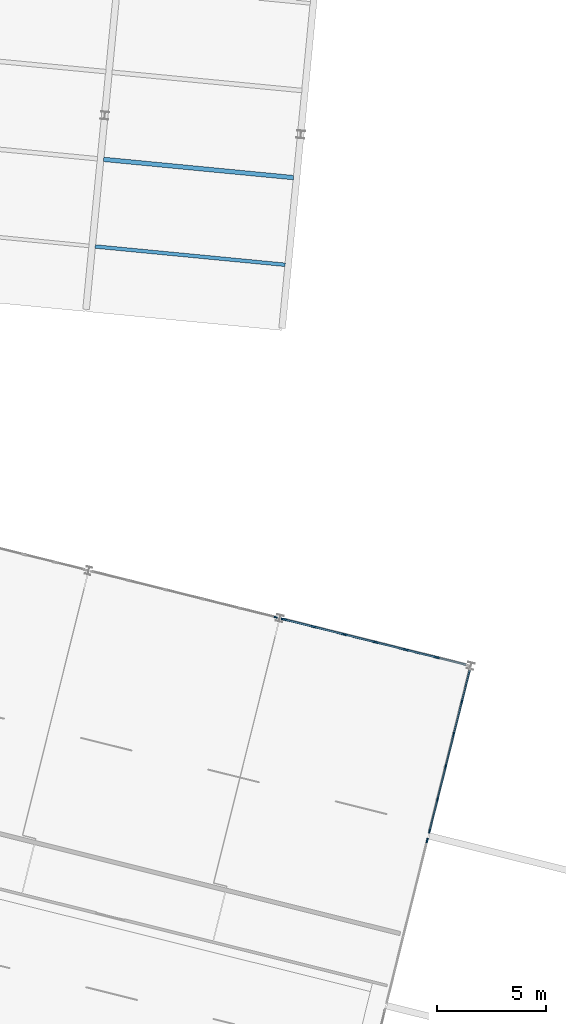
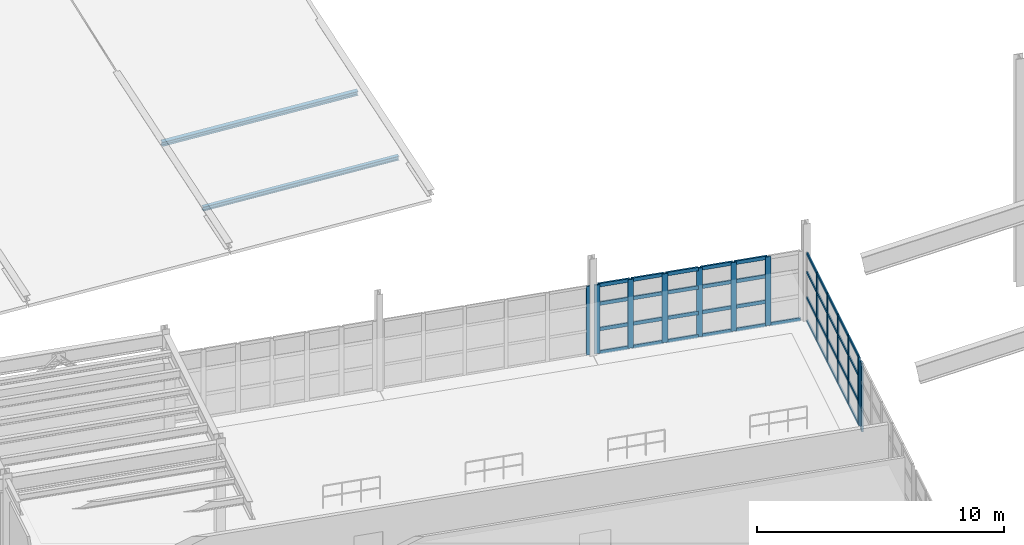
# One storey, part 21 of 59: 56 members, 4 elements without a shape of their own.
"""IFC4 building model written with IfcOpenShell, lengths in metres."""

import ifcopenshell
import ifcopenshell.guid

model = None  # the IFC model being written
_history = None  # IfcOwnerHistory: only IFC2X3 demands one
_inside = {}  # id of a spatial element -> (the spatial element, [elements in it])
_under = {}  # id of a project, library or spatial element -> (it, [spatial elements below it])
_declared = {}  # id of a project -> (the project, [libraries it declares])
_typed = {}  # id of a type object -> (the type object, [elements of that type])
_made_of = {}  # id of a material, layer set ... -> (it, [elements and type objects made of it])


def new_model(schema):
    """Start an empty IFC model of exactly this schema.

    Asked for "IFC4X3", IfcOpenShell would pick the latest addendum, in which some entities
    have other attributes; the version numbers below select the first issue.
    IFC2X3 requires an IfcOwnerHistory on every rooted entity: one is made here for all.
    """
    global model, _history
    if schema == "IFC4X3":
        model = ifcopenshell.file(schema_version=(4, 3, 0, 0))
    else:
        model = ifcopenshell.file(schema=schema)
    _inside.clear()
    _under.clear()
    _declared.clear()
    _typed.clear()
    _made_of.clear()
    _history = None
    if model.schema == "IFC2X3":
        org = make("IfcOrganization", Name="unknown")
        user = make(
            "IfcPersonAndOrganization",
            ThePerson=make("IfcPerson", FamilyName="unknown"),
            TheOrganization=org,
        )
        app = make(
            "IfcApplication",
            ApplicationDeveloper=org,
            Version="unknown",
            ApplicationFullName="unknown",
            ApplicationIdentifier="unknown",
        )
        _history = make(
            "IfcOwnerHistory",
            OwningUser=user,
            OwningApplication=app,
            ChangeAction="ADDED",
            CreationDate=0,
        )
    return model


def make(cls, **values):
    """One entity of the class cls with the attributes given. An attribute that is None is left unset."""
    return model.create_entity(
        cls, **{name: value for name, value in values.items() if value is not None}
    )


def rooted(cls, **values):
    """An entity with a GlobalId (a new one), such as an element, a storey or a relation."""
    return make(cls, GlobalId=ifcopenshell.guid.new(), OwnerHistory=_history, **values)


def si_unit(unit_type, name, prefix=None):
    """IfcSIUnit, for example si_unit("LENGTHUNIT", "METRE", prefix="MILLI")."""
    return make("IfcSIUnit", UnitType=unit_type, Prefix=prefix, Name=name)


def assignment(units):
    """IfcUnitAssignment: the units of a project."""
    return None if units is None else make("IfcUnitAssignment", Units=units)


def point(xyz):
    """IfcCartesianPoint."""
    return None if xyz is None else make("IfcCartesianPoint", Coordinates=xyz)


def direction(xyz):
    """IfcDirection."""
    return None if xyz is None else make("IfcDirection", DirectionRatios=xyz)


def frame(location, z_axis=None, x_axis=None):
    """IfcAxis2Placement3D, a coordinate frame: its origin and axes. An axis left out is left unset."""
    return make(
        "IfcAxis2Placement3D",
        Location=point(location),
        Axis=direction(z_axis),
        RefDirection=direction(x_axis),
    )


def frame_2d(location, x_axis=None):
    """IfcAxis2Placement2D, a coordinate frame in the plane: its origin and x axis."""
    return make(
        "IfcAxis2Placement2D", Location=point(location), RefDirection=direction(x_axis)
    )


def origin():
    """The frame at (0, 0, 0) with its axes left unset."""
    return frame((0.0, 0.0, 0.0))


def origin_2d():
    """The frame at (0, 0) in the plane with its x axis left unset."""
    return frame_2d((0.0, 0.0))


def place(relative_to, where):
    """IfcLocalPlacement: puts the frame where relative to a parent placement (None: the world)."""
    return make(
        "IfcLocalPlacement", PlacementRelTo=relative_to, RelativePlacement=where
    )


def context(
    kind, dimensions, precision=None, world=None, true_north=None, identifier=None
):
    """IfcGeometricRepresentationContext, for example the 3D "Model" context."""
    return make(
        "IfcGeometricRepresentationContext",
        ContextIdentifier=identifier,
        ContextType=kind,
        CoordinateSpaceDimension=dimensions,
        Precision=precision,
        WorldCoordinateSystem=world,
        TrueNorth=true_north,
    )


def subcontext(parent, identifier, kind, view, scale=None):
    """IfcGeometricRepresentationSubContext, for example "Body" below "Model"."""
    return make(
        "IfcGeometricRepresentationSubContext",
        ContextIdentifier=identifier,
        ContextType=kind,
        ParentContext=parent,
        TargetScale=scale,
        TargetView=view,
    )


def project(units=None, contexts=None):
    """IfcProject with its units and contexts."""
    return rooted(
        "IfcProject",
        Name="project",
        RepresentationContexts=contexts,
        UnitsInContext=assignment(units),
    )


def spatial(cls, under=None, at=None, **own):
    """A site, building, storey or space (cls), placed at a placement, below another one or the project."""
    s = rooted(cls, ObjectPlacement=at, **own)
    if under is not None:
        _under.setdefault(under.id(), (under, []))[1].append(s)
    return s


def profile(cls, at=None, kind="AREA", **sizes):
    """A parametric profile (cls). Its sizes go by their IFC names, for example OverallWidth=200.0."""
    return make(cls, ProfileType=kind, Position=at, **sizes)


def rectangle(**sizes):
    """IfcRectangleProfileDef."""
    return profile("IfcRectangleProfileDef", **sizes)


def i_section(**sizes):
    """IfcIShapeProfileDef."""
    return profile("IfcIShapeProfileDef", **sizes)


def extrude(swept, where, along, depth):
    """IfcExtrudedAreaSolid: the profile swept, set in the frame where, extruded along a direction by depth."""
    return make(
        "IfcExtrudedAreaSolid",
        SweptArea=swept,
        Position=where,
        ExtrudedDirection=direction(along),
        Depth=depth,
    )


def shape(context_of_items, identifier, shape_type, items):
    """IfcShapeRepresentation: the items that make up one representation, for example the "Body"."""
    return make(
        "IfcShapeRepresentation",
        ContextOfItems=context_of_items,
        RepresentationIdentifier=identifier,
        RepresentationType=shape_type,
        Items=items,
    )


def material(Name=None, Category=None):
    """IfcMaterial."""
    return make("IfcMaterial", Name=Name, Category=Category)


def layer(
    of_material, thickness, ventilated=None, Name=None, Category=None, Priority=None
):
    """IfcMaterialLayer: one layer of a wall or slab, of a material (None: an air gap)."""
    return make(
        "IfcMaterialLayer",
        Material=of_material,
        LayerThickness=thickness,
        IsVentilated=ventilated,
        Name=Name,
        Category=Category,
        Priority=Priority,
    )


def layer_set(layers, Name=None):
    """IfcMaterialLayerSet."""
    return make("IfcMaterialLayerSet", MaterialLayers=layers, LayerSetName=Name)


def material_profile(
    of_material, cross_section, Name=None, Category=None, Priority=None
):
    """IfcMaterialProfile: a cross section and its material."""
    return make(
        "IfcMaterialProfile",
        Name=Name,
        Material=of_material,
        Profile=cross_section,
        Priority=Priority,
        Category=Category,
    )


def profile_set(profiles, Name=None, composite=None):
    """IfcMaterialProfileSet."""
    return make(
        "IfcMaterialProfileSet",
        Name=Name,
        MaterialProfiles=profiles,
        CompositeProfile=composite,
    )


def made_of(thing, what):
    """Note that an element or type object is made of a material, layer set ...; save() writes the relation."""
    if what is not None:
        _made_of.setdefault(what.id(), (what, []))[1].append(thing)
    return thing


def type_object(cls, material=None, **own):
    """A type object (cls), such as IfcWallType, which elements share."""
    return made_of(rooted(cls, **own), material)


def element(
    cls,
    number,
    at=None,
    inside=None,
    cuts=None,
    type_object=None,
    material=None,
    context=None,
    identifier="Body",
    shape_type=None,
    held_by="IfcProductDefinitionShape",
    body=None,
    shapes=None,
    **own,
):
    """One element of the class cls, such as IfcWall. Its Tag is "e" and its number.

    at: its placement. inside: the storey or other place that contains it. cuts: it is an
    opening in that element (IfcRelVoidsElement). A single representation is given by context,
    identifier, shape_type and body (its items); several are given by shapes. held_by: the class
    of the entity that holds the representations. save() writes the other relations.
    """
    e = rooted(cls, Tag="e%d" % number, ObjectPlacement=at, **own)
    if body is not None:
        shapes = [shape(context, identifier, shape_type, body)]
    if shapes is not None:
        e.Representation = make(held_by, Representations=shapes)
    if inside is not None:
        _inside.setdefault(inside.id(), (inside, []))[1].append(e)
    if cuts is not None:
        rooted(
            "IfcRelVoidsElement", RelatingBuildingElement=cuts, RelatedOpeningElement=e
        )
    if type_object is not None:
        _typed.setdefault(type_object.id(), (type_object, []))[1].append(e)
    return made_of(e, material)


def aggregate(whole, parts):
    """IfcRelAggregates: a whole, such as a stair, and the parts it consists of."""
    return rooted("IfcRelAggregates", RelatingObject=whole, RelatedObjects=parts)


def save(model, path):
    """Write the relations noted so far, then the file.

    IfcRelAggregates (storeys below a building ...), IfcRelContainedInSpatialStructure (elements
    in a storey), IfcRelDefinesByType, IfcRelAssociatesMaterial and IfcRelDeclares: one each for
    every whole, place, type object, material and project.
    """
    for whole, parts in _under.values():
        aggregate(whole, parts)
    for where, things in _inside.values():
        rooted(
            "IfcRelContainedInSpatialStructure",
            RelatedElements=things,
            RelatingStructure=where,
        )
    for kind, things in _typed.values():
        rooted("IfcRelDefinesByType", RelatedObjects=things, RelatingType=kind)
    for what, things in _made_of.values():
        rooted("IfcRelAssociatesMaterial", RelatedObjects=things, RelatingMaterial=what)
    for by, libraries in _declared.values():
        rooted("IfcRelDeclares", RelatingContext=by, RelatedDefinitions=libraries)
    model.write(path)


model = new_model("IFC4")

# Units and contexts
model_context = context("Model", 3, precision=1e-05, world=origin(), true_north=direction((0.0, 1.0)))
body_context = subcontext(model_context, "Body", "Model", "MODEL_VIEW")
ifc_project = project(units=[si_unit("LENGTHUNIT", "METRE"), si_unit("AREAUNIT", "SQUARE_METRE"), si_unit("VOLUMEUNIT", "CUBIC_METRE"), si_unit("PLANEANGLEUNIT", "RADIAN"), si_unit("MASSUNIT", "GRAM", prefix="KILO")], contexts=[model_context])

# Site, building, storey
site_placement = place(None, origin())
site = spatial("IfcSite", under=ifc_project, at=site_placement, CompositionType="ELEMENT")
building_placement = place(site_placement, origin())
building = spatial("IfcBuilding", under=site, at=building_placement, Name="Vireo Bluff Cable Station", CompositionType="ELEMENT")
storey_placement = place(building_placement, frame((0.0, 0.0, 14.39990234375)))
storey = spatial("IfcBuildingStorey", under=building, at=storey_placement, Name="L03", CompositionType="ELEMENT", Elevation=14.39990234375)

# Curtain wall, members
ifc_material_1 = material(Name="Anodized Aluminium 6063-T6", Category="aluminium")
ifc_layer_1 = layer(ifc_material_1, 0.179931640625, Name="Anodized Aluminium 6063-T6")
ifc_layer_set_1 = layer_set([ifc_layer_1], Name="Anodized Aluminium 6063-T6")
curtain_wall_type_1 = type_object("IfcCurtainWallType", Name="CW-UNIT-1500", PredefinedType="USERDEFINED", material=ifc_layer_set_1)
curtain_wall_1_placement = place(storey_placement, origin())
curtain_wall_1 = element("IfcCurtainWall", 1, at=curtain_wall_1_placement, inside=storey, type_object=curtain_wall_type_1, Name="V1 L03 east curtain wall CW-028", ObjectType="UNITISED CURTAIN WALL", PredefinedType="USERDEFINED")
ifc_material_profile_1 = material_profile(ifc_material_1, rectangle(XDim=0.06494140625, YDim=0.179931640625, at=origin_2d()), Name="ALU-M-65X180")
ifc_profile_set_1 = profile_set([ifc_material_profile_1], Name="Anodized Aluminium 6063-T6")
member_type_1 = type_object("IfcMemberType", Name="CWM-01", PredefinedType="MULLION", material=ifc_profile_set_1)
member_1_placement = place(storey_placement, frame((111.793701171875, 46.58544921875, 0.0), z_axis=(0.0, 0.0, 1.0), x_axis=(0.970295711705, -0.241921954042, 0.0)))
member_1 = element("IfcMember", 2, at=member_1_placement, type_object=member_type_1, Name="CW-028 mullion 2", PredefinedType="MULLION", context=body_context, shape_type="SweptSolid", body=[
    extrude(rectangle(XDim=0.06494140625, YDim=0.179931640625, at=origin_2d()), origin(), (0.0, 0.0, 1.0), 3.400146484375),
])
member_2_placement = place(storey_placement, frame((111.423095703125, 45.098388671875, 0.0), z_axis=(0.0, 0.0, 1.0), x_axis=(0.970295711705, -0.241921954042, 0.0)))
member_2 = element("IfcMember", 3, at=member_2_placement, type_object=member_type_1, Name="CW-028 mullion 3", PredefinedType="MULLION", context=body_context, shape_type="SweptSolid", body=[
    extrude(rectangle(XDim=0.06494140625, YDim=0.179931640625, at=origin_2d()), origin(), (0.0, 0.0, 1.0), 3.400146484375),
])
member_3_placement = place(storey_placement, frame((111.05224609375, 43.611572265625, 0.0), z_axis=(0.0, 0.0, 1.0), x_axis=(0.970295711705, -0.241921954042, 0.0)))
member_3 = element("IfcMember", 4, at=member_3_placement, type_object=member_type_1, Name="CW-028 mullion 4", PredefinedType="MULLION", context=body_context, shape_type="SweptSolid", body=[
    extrude(rectangle(XDim=0.06494140625, YDim=0.179931640625, at=origin_2d()), origin(), (0.0, 0.0, 1.0), 3.400146484375),
])
member_4_placement = place(storey_placement, frame((110.681396484375, 42.12451171875, 0.0), z_axis=(0.0, 0.0, 1.0), x_axis=(0.970295711705, -0.241921954042, 0.0)))
member_4 = element("IfcMember", 5, at=member_4_placement, type_object=member_type_1, Name="CW-028 mullion 5", PredefinedType="MULLION", context=body_context, shape_type="SweptSolid", body=[
    extrude(rectangle(XDim=0.06494140625, YDim=0.179931640625, at=origin_2d()), origin(), (0.0, 0.0, 1.0), 3.400146484375),
])
member_5_placement = place(storey_placement, frame((110.318603515625, 40.669189453125, 0.0), z_axis=(0.0, 0.0, 1.0), x_axis=(0.970295711705, -0.241921954042, 0.0)))
member_5 = element("IfcMember", 6, at=member_5_placement, type_object=member_type_1, Name="CW-028 mullion 6", PredefinedType="MULLION", context=body_context, shape_type="SweptSolid", body=[
    extrude(rectangle(XDim=0.06494140625, YDim=0.179931640625, at=origin_2d()), origin(), (0.0, 0.0, 1.0), 3.400146484375),
])

# Curtain wall, member
ifc_layer_2 = layer(ifc_material_1, 0.179931640625, Name="Anodized Aluminium 6063-T6")
ifc_layer_set_2 = layer_set([ifc_layer_2], Name="Anodized Aluminium 6063-T6")
curtain_wall_type_2 = type_object("IfcCurtainWallType", Name="CW-UNIT-1650", PredefinedType="USERDEFINED", material=ifc_layer_set_2)
curtain_wall_2_placement = place(storey_placement, origin())
curtain_wall_2 = element("IfcCurtainWall", 7, at=curtain_wall_2_placement, inside=storey, type_object=curtain_wall_type_2, Name="V1 L03 east curtain wall CW-029", ObjectType="UNITISED CURTAIN WALL", PredefinedType="USERDEFINED")
ifc_material_profile_2 = material_profile(ifc_material_1, rectangle(XDim=0.074951171875, YDim=0.2099609375, at=origin_2d()), Name="ALU-M-75X210")
ifc_profile_set_2 = profile_set([ifc_material_profile_2], Name="Anodized Aluminium 6063-T6")
member_type_2 = type_object("IfcMemberType", Name="CWM-02", PredefinedType="MULLION", material=ifc_profile_set_2)
member_6_placement = place(storey_placement, frame((110.213623046875, 40.248046875, 0.0), z_axis=(0.0, 0.0, 1.0), x_axis=(0.970295712549, -0.241921950655, 0.0)))
member_6 = element("IfcMember", 8, at=member_6_placement, type_object=member_type_2, Name="CW-029 mullion 1", PredefinedType="MULLION", context=body_context, shape_type="SweptSolid", body=[
    extrude(rectangle(XDim=0.074951171875, YDim=0.2099609375, at=origin_2d()), origin(), (0.0, 0.0, 1.0), 3.400146484375),
])
aggregate(curtain_wall_2, [member_6])

curtain_wall_3_placement = place(storey_placement, origin())
curtain_wall_3 = element("IfcCurtainWall", 9, at=curtain_wall_3_placement, inside=storey, type_object=curtain_wall_type_2, Name="V1 L03 north curtain wall CW-026", ObjectType="UNITISED CURTAIN WALL", PredefinedType="USERDEFINED")
ifc_material_profile_3 = material_profile(ifc_material_1, rectangle(XDim=0.06005859375, YDim=0.159912109375, at=origin_2d()), Name="ALU-M-60X160")
ifc_profile_set_3 = profile_set([ifc_material_profile_3], Name="Anodized Aluminium 6063-T6")
member_type_3 = type_object("IfcMemberType", Name="CWM-03", PredefinedType="MULLION", material=ifc_profile_set_3)
member_7_placement = place(storey_placement, frame((103.29052734375, 50.4453125, 0.0), z_axis=(0.0, 0.0, 1.0), x_axis=(0.241921892467, 0.970295727057, 0.0)))
member_7 = element("IfcMember", 10, at=member_7_placement, type_object=member_type_3, Name="CW-026 mullion 6", PredefinedType="MULLION", context=body_context, shape_type="SweptSolid", body=[
    extrude(rectangle(XDim=0.06005859375, YDim=0.159912109375, at=origin_2d()), origin(), (0.0, 0.0, 1.0), 3.400146484375),
])
aggregate(curtain_wall_3, [member_7])

# Curtain wall, members
ifc_layer_3 = layer(ifc_material_1, 0.179931640625, Name="Anodized Aluminium 6063-T6")
ifc_layer_set_3 = layer_set([ifc_layer_3], Name="Anodized Aluminium 6063-T6")
curtain_wall_type_3 = type_object("IfcCurtainWallType", Name="CW-UNIT-1400", PredefinedType="USERDEFINED", material=ifc_layer_set_3)
curtain_wall_4_placement = place(storey_placement, origin())
curtain_wall_4 = element("IfcCurtainWall", 11, at=curtain_wall_4_placement, inside=storey, type_object=curtain_wall_type_3, Name="V1 L03 north curtain wall CW-027", ObjectType="UNITISED CURTAIN WALL", PredefinedType="USERDEFINED")
ifc_material_profile_4 = material_profile(ifc_material_1, rectangle(XDim=0.080078125, YDim=0.239990234375, at=origin_2d()), Name="ALU-M-80X240")
ifc_profile_set_4 = profile_set([ifc_material_profile_4], Name="Anodized Aluminium 6063-T6")
member_type_4 = type_object("IfcMemberType", Name="CWM-04", PredefinedType="MULLION", material=ifc_profile_set_4)
member_8_placement = place(storey_placement, frame((103.658203125, 50.353515625, 0.0), z_axis=(0.0, 0.0, 1.0), x_axis=(0.241921878749, 0.970295730477, 0.0)))
member_8 = element("IfcMember", 12, at=member_8_placement, type_object=member_type_4, Name="CW-027 mullion 1", PredefinedType="MULLION", context=body_context, shape_type="SweptSolid", body=[
    extrude(rectangle(XDim=0.080078125, YDim=0.239990234375, at=origin_2d()), origin(), (0.0, 0.0, 1.0), 3.400146484375),
])
member_9_placement = place(storey_placement, frame((105.02490234375, 50.0126953125, 0.0), z_axis=(0.0, 0.0, 1.0), x_axis=(0.241921878749, 0.970295730477, 0.0)))
member_9 = element("IfcMember", 13, at=member_9_placement, type_object=member_type_4, Name="CW-027 mullion 2", PredefinedType="MULLION", context=body_context, shape_type="SweptSolid", body=[
    extrude(rectangle(XDim=0.080078125, YDim=0.239990234375, at=origin_2d()), origin(), (0.0, 0.0, 1.0), 3.400146484375),
])
member_10_placement = place(storey_placement, frame((106.43017578125, 49.662353515625, 0.0), z_axis=(0.0, 0.0, 1.0), x_axis=(0.241921878749, 0.970295730477, 0.0)))
member_10 = element("IfcMember", 14, at=member_10_placement, type_object=member_type_4, Name="CW-027 mullion 3", PredefinedType="MULLION", context=body_context, shape_type="SweptSolid", body=[
    extrude(rectangle(XDim=0.080078125, YDim=0.239990234375, at=origin_2d()), origin(), (0.0, 0.0, 1.0), 3.400146484375),
])
member_11_placement = place(storey_placement, frame((107.835693359375, 49.31201171875, 0.0), z_axis=(0.0, 0.0, 1.0), x_axis=(0.241921878749, 0.970295730477, 0.0)))
member_11 = element("IfcMember", 15, at=member_11_placement, type_object=member_type_4, Name="CW-027 mullion 4", PredefinedType="MULLION", context=body_context, shape_type="SweptSolid", body=[
    extrude(rectangle(XDim=0.080078125, YDim=0.239990234375, at=origin_2d()), origin(), (0.0, 0.0, 1.0), 3.400146484375),
])
member_12_placement = place(storey_placement, frame((109.2412109375, 48.96142578125, 0.0), z_axis=(0.0, 0.0, 1.0), x_axis=(0.241921878749, 0.970295730477, 0.0)))
member_12 = element("IfcMember", 16, at=member_12_placement, type_object=member_type_4, Name="CW-027 mullion 5", PredefinedType="MULLION", context=body_context, shape_type="SweptSolid", body=[
    extrude(rectangle(XDim=0.080078125, YDim=0.239990234375, at=origin_2d()), origin(), (0.0, 0.0, 1.0), 3.400146484375),
])
member_13_placement = place(storey_placement, frame((110.646728515625, 48.611083984375, 0.0), z_axis=(0.0, 0.0, 1.0), x_axis=(0.241921878749, 0.970295730477, 0.0)))
member_13 = element("IfcMember", 17, at=member_13_placement, type_object=member_type_4, Name="CW-027 mullion 6", PredefinedType="MULLION", context=body_context, shape_type="SweptSolid", body=[
    extrude(rectangle(XDim=0.080078125, YDim=0.239990234375, at=origin_2d()), origin(), (0.0, 0.0, 1.0), 3.400146484375),
])

# Member
ifc_material_profile_5 = material_profile(ifc_material_1, rectangle(XDim=0.06494140625, YDim=0.139892578125, at=origin_2d()), Name="ALU-T-65X140")
ifc_profile_set_5 = profile_set([ifc_material_profile_5], Name="Anodized Aluminium 6063-T6")
member_type_5 = type_object("IfcMemberType", Name="CWT-01", PredefinedType="USERDEFINED", material=ifc_profile_set_5)
member_14_placement = place(storey_placement, frame((112.148681640625, 48.00927734375, 0.03271484375), z_axis=(-0.241935094351, -0.970292435362, 0.0), x_axis=(0.970292435362, -0.241935094351, 0.0)))
member_14 = element("IfcMember", 18, at=member_14_placement, type_object=member_type_5, Name="CW-028 transom 1.1", ObjectType="TRANSOM", PredefinedType="USERDEFINED", context=body_context, shape_type="SweptSolid", body=[
    extrude(rectangle(XDim=0.06494140625, YDim=0.139892578125, at=origin_2d()), origin(), (0.0, 0.0, 1.0), 1.43505859375),
])

member_15_placement = place(storey_placement, frame((112.148681640625, 48.00927734375, 1.190185546875), z_axis=(-0.241935094351, -0.970292435362, 0.0), x_axis=(0.970292435362, -0.241935094351, 0.0)))
member_15 = element("IfcMember", 19, at=member_15_placement, type_object=member_type_5, Name="CW-028 transom 1.2", ObjectType="TRANSOM", PredefinedType="USERDEFINED", context=body_context, shape_type="SweptSolid", body=[
    extrude(rectangle(XDim=0.06494140625, YDim=0.139892578125, at=origin_2d()), origin(), (0.0, 0.0, 1.0), 1.43505859375),
])

member_16_placement = place(storey_placement, frame((112.148681640625, 48.00927734375, 2.447998046875), z_axis=(-0.241935094351, -0.970292435362, 0.0), x_axis=(0.970292435362, -0.241935094351, 0.0)))
member_16 = element("IfcMember", 20, at=member_16_placement, type_object=member_type_5, Name="CW-028 transom 1.3", ObjectType="TRANSOM", PredefinedType="USERDEFINED", context=body_context, shape_type="SweptSolid", body=[
    extrude(rectangle(XDim=0.06494140625, YDim=0.139892578125, at=origin_2d()), origin(), (0.0, 0.0, 1.0), 1.43505859375),
])

member_17_placement = place(storey_placement, frame((112.148681640625, 48.00927734375, 3.36767578125), z_axis=(-0.241935094351, -0.970292435362, 0.0), x_axis=(0.970292435362, -0.241935094351, 0.0)))
member_17 = element("IfcMember", 21, at=member_17_placement, type_object=member_type_5, Name="CW-028 transom 1.4", ObjectType="TRANSOM", PredefinedType="USERDEFINED", context=body_context, shape_type="SweptSolid", body=[
    extrude(rectangle(XDim=0.06494140625, YDim=0.139892578125, at=origin_2d()), origin(), (0.0, 0.0, 1.0), 1.43505859375),
])

member_18_placement = place(storey_placement, frame((111.785888671875, 46.553955078125, 0.03271484375), z_axis=(-0.24190922162, -0.970298886166, 0.0), x_axis=(0.970298886166, -0.24190922162, 0.0)))
member_18 = element("IfcMember", 22, at=member_18_placement, type_object=member_type_5, Name="CW-028 transom 2.1", ObjectType="TRANSOM", PredefinedType="USERDEFINED", context=body_context, shape_type="SweptSolid", body=[
    extrude(rectangle(XDim=0.06494140625, YDim=0.139892578125, at=origin_2d()), origin(), (0.0, 0.0, 1.0), 1.467529296875),
])

member_19_placement = place(storey_placement, frame((111.785888671875, 46.553955078125, 1.190185546875), z_axis=(-0.24190922162, -0.970298886166, 0.0), x_axis=(0.970298886166, -0.24190922162, 0.0)))
member_19 = element("IfcMember", 23, at=member_19_placement, type_object=member_type_5, Name="CW-028 transom 2.2", ObjectType="TRANSOM", PredefinedType="USERDEFINED", context=body_context, shape_type="SweptSolid", body=[
    extrude(rectangle(XDim=0.06494140625, YDim=0.139892578125, at=origin_2d()), origin(), (0.0, 0.0, 1.0), 1.467529296875),
])

member_20_placement = place(storey_placement, frame((111.785888671875, 46.553955078125, 2.447998046875), z_axis=(-0.24190922162, -0.970298886166, 0.0), x_axis=(0.970298886166, -0.24190922162, 0.0)))
member_20 = element("IfcMember", 24, at=member_20_placement, type_object=member_type_5, Name="CW-028 transom 2.3", ObjectType="TRANSOM", PredefinedType="USERDEFINED", context=body_context, shape_type="SweptSolid", body=[
    extrude(rectangle(XDim=0.06494140625, YDim=0.139892578125, at=origin_2d()), origin(), (0.0, 0.0, 1.0), 1.467529296875),
])

member_21_placement = place(storey_placement, frame((111.785888671875, 46.553955078125, 3.36767578125), z_axis=(-0.24190922162, -0.970298886166, 0.0), x_axis=(0.970298886166, -0.24190922162, 0.0)))
member_21 = element("IfcMember", 25, at=member_21_placement, type_object=member_type_5, Name="CW-028 transom 2.4", ObjectType="TRANSOM", PredefinedType="USERDEFINED", context=body_context, shape_type="SweptSolid", body=[
    extrude(rectangle(XDim=0.06494140625, YDim=0.139892578125, at=origin_2d()), origin(), (0.0, 0.0, 1.0), 1.467529296875),
])

member_22_placement = place(storey_placement, frame((111.4150390625, 45.06689453125, 0.03271484375), z_axis=(-0.24190922162, -0.970298886166, 0.0), x_axis=(0.970298886166, -0.24190922162, 0.0)))
member_22 = element("IfcMember", 26, at=member_22_placement, type_object=member_type_5, Name="CW-028 transom 3.1", ObjectType="TRANSOM", PredefinedType="USERDEFINED", context=body_context, shape_type="SweptSolid", body=[
    extrude(rectangle(XDim=0.06494140625, YDim=0.139892578125, at=origin_2d()), origin(), (0.0, 0.0, 1.0), 1.467529296875),
])

member_23_placement = place(storey_placement, frame((111.4150390625, 45.06689453125, 1.190185546875), z_axis=(-0.24190922162, -0.970298886166, 0.0), x_axis=(0.970298886166, -0.24190922162, 0.0)))
member_23 = element("IfcMember", 27, at=member_23_placement, type_object=member_type_5, Name="CW-028 transom 3.2", ObjectType="TRANSOM", PredefinedType="USERDEFINED", context=body_context, shape_type="SweptSolid", body=[
    extrude(rectangle(XDim=0.06494140625, YDim=0.139892578125, at=origin_2d()), origin(), (0.0, 0.0, 1.0), 1.467529296875),
])

member_24_placement = place(storey_placement, frame((111.4150390625, 45.06689453125, 2.447998046875), z_axis=(-0.24190922162, -0.970298886166, 0.0), x_axis=(0.970298886166, -0.24190922162, 0.0)))
member_24 = element("IfcMember", 28, at=member_24_placement, type_object=member_type_5, Name="CW-028 transom 3.3", ObjectType="TRANSOM", PredefinedType="USERDEFINED", context=body_context, shape_type="SweptSolid", body=[
    extrude(rectangle(XDim=0.06494140625, YDim=0.139892578125, at=origin_2d()), origin(), (0.0, 0.0, 1.0), 1.467529296875),
])

member_25_placement = place(storey_placement, frame((111.4150390625, 45.06689453125, 3.36767578125), z_axis=(-0.24190922162, -0.970298886166, 0.0), x_axis=(0.970298886166, -0.24190922162, 0.0)))
member_25 = element("IfcMember", 29, at=member_25_placement, type_object=member_type_5, Name="CW-028 transom 3.4", ObjectType="TRANSOM", PredefinedType="USERDEFINED", context=body_context, shape_type="SweptSolid", body=[
    extrude(rectangle(XDim=0.06494140625, YDim=0.139892578125, at=origin_2d()), origin(), (0.0, 0.0, 1.0), 1.467529296875),
])

member_26_placement = place(storey_placement, frame((111.04443359375, 43.580078125, 0.03271484375), z_axis=(-0.241870175485, -0.970308620085, 0.0), x_axis=(0.970308620085, -0.241870175485, 0.0)))
member_26 = element("IfcMember", 30, at=member_26_placement, type_object=member_type_5, Name="CW-028 transom 4.1", ObjectType="TRANSOM", PredefinedType="USERDEFINED", context=body_context, shape_type="SweptSolid", body=[
    extrude(rectangle(XDim=0.06494140625, YDim=0.139892578125, at=origin_2d()), origin(), (0.0, 0.0, 1.0), 1.467529296875),
])

member_27_placement = place(storey_placement, frame((111.04443359375, 43.580078125, 1.190185546875), z_axis=(-0.241870175485, -0.970308620085, 0.0), x_axis=(0.970308620085, -0.241870175485, 0.0)))
member_27 = element("IfcMember", 31, at=member_27_placement, type_object=member_type_5, Name="CW-028 transom 4.2", ObjectType="TRANSOM", PredefinedType="USERDEFINED", context=body_context, shape_type="SweptSolid", body=[
    extrude(rectangle(XDim=0.06494140625, YDim=0.139892578125, at=origin_2d()), origin(), (0.0, 0.0, 1.0), 1.467529296875),
])

member_28_placement = place(storey_placement, frame((111.04443359375, 43.580078125, 2.447998046875), z_axis=(-0.241870175485, -0.970308620085, 0.0), x_axis=(0.970308620085, -0.241870175485, 0.0)))
member_28 = element("IfcMember", 32, at=member_28_placement, type_object=member_type_5, Name="CW-028 transom 4.3", ObjectType="TRANSOM", PredefinedType="USERDEFINED", context=body_context, shape_type="SweptSolid", body=[
    extrude(rectangle(XDim=0.06494140625, YDim=0.139892578125, at=origin_2d()), origin(), (0.0, 0.0, 1.0), 1.467529296875),
])

member_29_placement = place(storey_placement, frame((111.04443359375, 43.580078125, 3.36767578125), z_axis=(-0.241870175485, -0.970308620085, 0.0), x_axis=(0.970308620085, -0.241870175485, 0.0)))
member_29 = element("IfcMember", 33, at=member_29_placement, type_object=member_type_5, Name="CW-028 transom 4.4", ObjectType="TRANSOM", PredefinedType="USERDEFINED", context=body_context, shape_type="SweptSolid", body=[
    extrude(rectangle(XDim=0.06494140625, YDim=0.139892578125, at=origin_2d()), origin(), (0.0, 0.0, 1.0), 1.467529296875),
])

member_30_placement = place(storey_placement, frame((110.673583984375, 42.093017578125, 0.03271484375), z_axis=(-0.241935094351, -0.970292435362, 0.0), x_axis=(0.970292435362, -0.241935094351, 0.0)))
member_30 = element("IfcMember", 34, at=member_30_placement, type_object=member_type_5, Name="CW-028 transom 5.1", ObjectType="TRANSOM", PredefinedType="USERDEFINED", context=body_context, shape_type="SweptSolid", body=[
    extrude(rectangle(XDim=0.06494140625, YDim=0.139892578125, at=origin_2d()), origin(), (0.0, 0.0, 1.0), 1.43505859375),
])

member_31_placement = place(storey_placement, frame((110.673583984375, 42.093017578125, 1.190185546875), z_axis=(-0.241935094351, -0.970292435362, 0.0), x_axis=(0.970292435362, -0.241935094351, 0.0)))
member_31 = element("IfcMember", 35, at=member_31_placement, type_object=member_type_5, Name="CW-028 transom 5.2", ObjectType="TRANSOM", PredefinedType="USERDEFINED", context=body_context, shape_type="SweptSolid", body=[
    extrude(rectangle(XDim=0.06494140625, YDim=0.139892578125, at=origin_2d()), origin(), (0.0, 0.0, 1.0), 1.43505859375),
])

member_32_placement = place(storey_placement, frame((110.673583984375, 42.093017578125, 2.447998046875), z_axis=(-0.241935094351, -0.970292435362, 0.0), x_axis=(0.970292435362, -0.241935094351, 0.0)))
member_32 = element("IfcMember", 36, at=member_32_placement, type_object=member_type_5, Name="CW-028 transom 5.3", ObjectType="TRANSOM", PredefinedType="USERDEFINED", context=body_context, shape_type="SweptSolid", body=[
    extrude(rectangle(XDim=0.06494140625, YDim=0.139892578125, at=origin_2d()), origin(), (0.0, 0.0, 1.0), 1.43505859375),
])

member_33_placement = place(storey_placement, frame((110.673583984375, 42.093017578125, 3.36767578125), z_axis=(-0.241935094351, -0.970292435362, 0.0), x_axis=(0.970292435362, -0.241935094351, 0.0)))
member_33 = element("IfcMember", 37, at=member_33_placement, type_object=member_type_5, Name="CW-028 transom 5.4", ObjectType="TRANSOM", PredefinedType="USERDEFINED", context=body_context, shape_type="SweptSolid", body=[
    extrude(rectangle(XDim=0.06494140625, YDim=0.139892578125, at=origin_2d()), origin(), (0.0, 0.0, 1.0), 1.43505859375),
])

aggregate(curtain_wall_1, [member_1, member_2, member_3, member_4, member_5, member_14, member_15, member_16, member_17, member_18, member_19, member_20, member_21, member_22, member_23, member_24, member_25, member_26, member_27, member_28, member_29, member_30, member_31, member_32, member_33])

ifc_material_profile_6 = material_profile(ifc_material_1, rectangle(XDim=0.080078125, YDim=0.175048828125, at=origin_2d()), Name="ALU-T-80X175")
ifc_profile_set_6 = profile_set([ifc_material_profile_6], Name="Anodized Aluminium 6063-T6")
member_type_6 = type_object("IfcMemberType", Name="CWT-04", PredefinedType="USERDEFINED", material=ifc_profile_set_6)
member_34_placement = place(storey_placement, frame((103.697021484375, 50.343994140625, 0.0400390625), z_axis=(0.970272076912, -0.242016728275, 0.0), x_axis=(0.242016728275, 0.970272076912, 0.0)))
member_34 = element("IfcMember", 38, at=member_34_placement, type_object=member_type_6, Name="CW-027 transom 1.1", ObjectType="TRANSOM", PredefinedType="USERDEFINED", context=body_context, shape_type="SweptSolid", body=[
    extrude(rectangle(XDim=0.080078125, YDim=0.175048828125, at=origin_2d()), origin(), (0.0, 0.0, 1.0), 1.32861328125),
])

member_35_placement = place(storey_placement, frame((103.697021484375, 50.343994140625, 1.190185546875), z_axis=(0.970272076912, -0.242016728275, 0.0), x_axis=(0.242016728275, 0.970272076912, 0.0)))
member_35 = element("IfcMember", 39, at=member_35_placement, type_object=member_type_6, Name="CW-027 transom 1.2", ObjectType="TRANSOM", PredefinedType="USERDEFINED", context=body_context, shape_type="SweptSolid", body=[
    extrude(rectangle(XDim=0.080078125, YDim=0.175048828125, at=origin_2d()), origin(), (0.0, 0.0, 1.0), 1.32861328125),
])

member_36_placement = place(storey_placement, frame((103.697021484375, 50.343994140625, 2.447998046875), z_axis=(0.970272076912, -0.242016728275, 0.0), x_axis=(0.242016728275, 0.970272076912, 0.0)))
member_36 = element("IfcMember", 40, at=member_36_placement, type_object=member_type_6, Name="CW-027 transom 1.3", ObjectType="TRANSOM", PredefinedType="USERDEFINED", context=body_context, shape_type="SweptSolid", body=[
    extrude(rectangle(XDim=0.080078125, YDim=0.175048828125, at=origin_2d()), origin(), (0.0, 0.0, 1.0), 1.32861328125),
])

member_37_placement = place(storey_placement, frame((103.697021484375, 50.343994140625, 3.360107421875), z_axis=(0.970272076912, -0.242016728275, 0.0), x_axis=(0.242016728275, 0.970272076912, 0.0)))
member_37 = element("IfcMember", 41, at=member_37_placement, type_object=member_type_6, Name="CW-027 transom 1.4", ObjectType="TRANSOM", PredefinedType="USERDEFINED", context=body_context, shape_type="SweptSolid", body=[
    extrude(rectangle(XDim=0.080078125, YDim=0.175048828125, at=origin_2d()), origin(), (0.0, 0.0, 1.0), 1.32861328125),
])

member_38_placement = place(storey_placement, frame((105.063720703125, 50.003173828125, 0.0400390625), z_axis=(0.97028926247, -0.241947819034, 0.0), x_axis=(0.241947819034, 0.97028926247, 0.0)))
member_38 = element("IfcMember", 42, at=member_38_placement, type_object=member_type_6, Name="CW-027 transom 2.1", ObjectType="TRANSOM", PredefinedType="USERDEFINED", context=body_context, shape_type="SweptSolid", body=[
    extrude(rectangle(XDim=0.080078125, YDim=0.175048828125, at=origin_2d()), origin(), (0.0, 0.0, 1.0), 1.368408203125),
])

member_39_placement = place(storey_placement, frame((105.063720703125, 50.003173828125, 1.190185546875), z_axis=(0.97028926247, -0.241947819034, 0.0), x_axis=(0.241947819034, 0.97028926247, 0.0)))
member_39 = element("IfcMember", 43, at=member_39_placement, type_object=member_type_6, Name="CW-027 transom 2.2", ObjectType="TRANSOM", PredefinedType="USERDEFINED", context=body_context, shape_type="SweptSolid", body=[
    extrude(rectangle(XDim=0.080078125, YDim=0.175048828125, at=origin_2d()), origin(), (0.0, 0.0, 1.0), 1.368408203125),
])

member_40_placement = place(storey_placement, frame((105.063720703125, 50.003173828125, 2.447998046875), z_axis=(0.97028926247, -0.241947819034, 0.0), x_axis=(0.241947819034, 0.97028926247, 0.0)))
member_40 = element("IfcMember", 44, at=member_40_placement, type_object=member_type_6, Name="CW-027 transom 2.3", ObjectType="TRANSOM", PredefinedType="USERDEFINED", context=body_context, shape_type="SweptSolid", body=[
    extrude(rectangle(XDim=0.080078125, YDim=0.175048828125, at=origin_2d()), origin(), (0.0, 0.0, 1.0), 1.368408203125),
])

member_41_placement = place(storey_placement, frame((105.063720703125, 50.003173828125, 3.360107421875), z_axis=(0.97028926247, -0.241947819034, 0.0), x_axis=(0.241947819034, 0.97028926247, 0.0)))
member_41 = element("IfcMember", 45, at=member_41_placement, type_object=member_type_6, Name="CW-027 transom 2.4", ObjectType="TRANSOM", PredefinedType="USERDEFINED", context=body_context, shape_type="SweptSolid", body=[
    extrude(rectangle(XDim=0.080078125, YDim=0.175048828125, at=origin_2d()), origin(), (0.0, 0.0, 1.0), 1.368408203125),
])

member_42_placement = place(storey_placement, frame((106.468994140625, 49.65283203125, 0.0400390625), z_axis=(0.970257818458, -0.24207388484, 0.0), x_axis=(0.24207388484, 0.970257818458, 0.0)))
member_42 = element("IfcMember", 46, at=member_42_placement, type_object=member_type_6, Name="CW-027 transom 3.1", ObjectType="TRANSOM", PredefinedType="USERDEFINED", context=body_context, shape_type="SweptSolid", body=[
    extrude(rectangle(XDim=0.080078125, YDim=0.175048828125, at=origin_2d()), origin(), (0.0, 0.0, 1.0), 1.36865234375),
])

member_43_placement = place(storey_placement, frame((106.468994140625, 49.65283203125, 1.190185546875), z_axis=(0.970257818458, -0.24207388484, 0.0), x_axis=(0.24207388484, 0.970257818458, 0.0)))
member_43 = element("IfcMember", 47, at=member_43_placement, type_object=member_type_6, Name="CW-027 transom 3.2", ObjectType="TRANSOM", PredefinedType="USERDEFINED", context=body_context, shape_type="SweptSolid", body=[
    extrude(rectangle(XDim=0.080078125, YDim=0.175048828125, at=origin_2d()), origin(), (0.0, 0.0, 1.0), 1.36865234375),
])

member_44_placement = place(storey_placement, frame((106.468994140625, 49.65283203125, 2.447998046875), z_axis=(0.970257818458, -0.24207388484, 0.0), x_axis=(0.24207388484, 0.970257818458, 0.0)))
member_44 = element("IfcMember", 48, at=member_44_placement, type_object=member_type_6, Name="CW-027 transom 3.3", ObjectType="TRANSOM", PredefinedType="USERDEFINED", context=body_context, shape_type="SweptSolid", body=[
    extrude(rectangle(XDim=0.080078125, YDim=0.175048828125, at=origin_2d()), origin(), (0.0, 0.0, 1.0), 1.36865234375),
])

member_45_placement = place(storey_placement, frame((106.468994140625, 49.65283203125, 3.360107421875), z_axis=(0.970257818458, -0.24207388484, 0.0), x_axis=(0.24207388484, 0.970257818458, 0.0)))
member_45 = element("IfcMember", 49, at=member_45_placement, type_object=member_type_6, Name="CW-027 transom 3.4", ObjectType="TRANSOM", PredefinedType="USERDEFINED", context=body_context, shape_type="SweptSolid", body=[
    extrude(rectangle(XDim=0.080078125, YDim=0.175048828125, at=origin_2d()), origin(), (0.0, 0.0, 1.0), 1.36865234375),
])

member_46_placement = place(storey_placement, frame((107.87451171875, 49.30224609375, 0.0400390625), z_axis=(0.970299704686, -0.24190593851, 0.0), x_axis=(0.24190593851, 0.970299704686, 0.0)))
member_46 = element("IfcMember", 50, at=member_46_placement, type_object=member_type_6, Name="CW-027 transom 4.1", ObjectType="TRANSOM", PredefinedType="USERDEFINED", context=body_context, shape_type="SweptSolid", body=[
    extrude(rectangle(XDim=0.080078125, YDim=0.175048828125, at=origin_2d()), origin(), (0.0, 0.0, 1.0), 1.368408203125),
])

member_47_placement = place(storey_placement, frame((107.87451171875, 49.30224609375, 1.190185546875), z_axis=(0.970299704686, -0.24190593851, 0.0), x_axis=(0.24190593851, 0.970299704686, 0.0)))
member_47 = element("IfcMember", 51, at=member_47_placement, type_object=member_type_6, Name="CW-027 transom 4.2", ObjectType="TRANSOM", PredefinedType="USERDEFINED", context=body_context, shape_type="SweptSolid", body=[
    extrude(rectangle(XDim=0.080078125, YDim=0.175048828125, at=origin_2d()), origin(), (0.0, 0.0, 1.0), 1.368408203125),
])

member_48_placement = place(storey_placement, frame((107.87451171875, 49.30224609375, 2.447998046875), z_axis=(0.970299704686, -0.24190593851, 0.0), x_axis=(0.24190593851, 0.970299704686, 0.0)))
member_48 = element("IfcMember", 52, at=member_48_placement, type_object=member_type_6, Name="CW-027 transom 4.3", ObjectType="TRANSOM", PredefinedType="USERDEFINED", context=body_context, shape_type="SweptSolid", body=[
    extrude(rectangle(XDim=0.080078125, YDim=0.175048828125, at=origin_2d()), origin(), (0.0, 0.0, 1.0), 1.368408203125),
])

member_49_placement = place(storey_placement, frame((107.87451171875, 49.30224609375, 3.360107421875), z_axis=(0.970299704686, -0.24190593851, 0.0), x_axis=(0.24190593851, 0.970299704686, 0.0)))
member_49 = element("IfcMember", 53, at=member_49_placement, type_object=member_type_6, Name="CW-027 transom 4.4", ObjectType="TRANSOM", PredefinedType="USERDEFINED", context=body_context, shape_type="SweptSolid", body=[
    extrude(rectangle(XDim=0.080078125, YDim=0.175048828125, at=origin_2d()), origin(), (0.0, 0.0, 1.0), 1.368408203125),
])

member_50_placement = place(storey_placement, frame((109.280029296875, 48.951904296875, 0.0400390625), z_axis=(0.970299704686, -0.24190593851, 0.0), x_axis=(0.24190593851, 0.970299704686, 0.0)))
member_50 = element("IfcMember", 54, at=member_50_placement, type_object=member_type_6, Name="CW-027 transom 5.1", ObjectType="TRANSOM", PredefinedType="USERDEFINED", context=body_context, shape_type="SweptSolid", body=[
    extrude(rectangle(XDim=0.080078125, YDim=0.175048828125, at=origin_2d()), origin(), (0.0, 0.0, 1.0), 1.368408203125),
])

member_51_placement = place(storey_placement, frame((109.280029296875, 48.951904296875, 1.190185546875), z_axis=(0.970299704686, -0.24190593851, 0.0), x_axis=(0.24190593851, 0.970299704686, 0.0)))
member_51 = element("IfcMember", 55, at=member_51_placement, type_object=member_type_6, Name="CW-027 transom 5.2", ObjectType="TRANSOM", PredefinedType="USERDEFINED", context=body_context, shape_type="SweptSolid", body=[
    extrude(rectangle(XDim=0.080078125, YDim=0.175048828125, at=origin_2d()), origin(), (0.0, 0.0, 1.0), 1.368408203125),
])

member_52_placement = place(storey_placement, frame((109.280029296875, 48.951904296875, 2.447998046875), z_axis=(0.970299704686, -0.24190593851, 0.0), x_axis=(0.24190593851, 0.970299704686, 0.0)))
member_52 = element("IfcMember", 56, at=member_52_placement, type_object=member_type_6, Name="CW-027 transom 5.3", ObjectType="TRANSOM", PredefinedType="USERDEFINED", context=body_context, shape_type="SweptSolid", body=[
    extrude(rectangle(XDim=0.080078125, YDim=0.175048828125, at=origin_2d()), origin(), (0.0, 0.0, 1.0), 1.368408203125),
])

member_53_placement = place(storey_placement, frame((109.280029296875, 48.951904296875, 3.360107421875), z_axis=(0.970299704686, -0.24190593851, 0.0), x_axis=(0.24190593851, 0.970299704686, 0.0)))
member_53 = element("IfcMember", 57, at=member_53_placement, type_object=member_type_6, Name="CW-027 transom 5.4", ObjectType="TRANSOM", PredefinedType="USERDEFINED", context=body_context, shape_type="SweptSolid", body=[
    extrude(rectangle(XDim=0.080078125, YDim=0.175048828125, at=origin_2d()), origin(), (0.0, 0.0, 1.0), 1.368408203125),
])

member_54_placement = place(storey_placement, frame((110.685546875, 48.601318359375, 0.0400390625), z_axis=(0.970315215168, -0.241843716508, 0.0), x_axis=(0.241843716508, 0.970315215168, 0.0)))
member_54 = element("IfcMember", 58, at=member_54_placement, type_object=member_type_6, Name="CW-027 transom 6.1", ObjectType="TRANSOM", PredefinedType="USERDEFINED", context=body_context, shape_type="SweptSolid", body=[
    extrude(rectangle(XDim=0.080078125, YDim=0.175048828125, at=origin_2d()), origin(), (0.0, 0.0, 1.0), 1.32861328125),
])

aggregate(curtain_wall_4, [member_8, member_9, member_10, member_11, member_12, member_13, member_34, member_35, member_36, member_37, member_38, member_39, member_40, member_41, member_42, member_43, member_44, member_45, member_46, member_47, member_48, member_49, member_50, member_51, member_52, member_53, member_54])

# Members
ifc_material_2 = material(Name="Steel ASTM A992 Gr. 50", Category="steel")
ifc_material_profile_7 = material_profile(ifc_material_2, i_section(OverallWidth=0.166015625, OverallDepth=0.205078125, WebThickness=0.007080078125, FlangeThickness=0.01171875, FilletRadius=0.008056640625, at=origin_2d()), Name="W8X28")
ifc_profile_set_7 = profile_set([ifc_material_profile_7], Name="Steel ASTM A992 Gr. 50")
member_type_7 = type_object("IfcMemberType", Name="PUR-02", PredefinedType="PURLIN", material=ifc_profile_set_7)
member_55_placement = place(storey_placement, frame((95.040771484375, 67.388916015625, -0.14990234375), z_axis=(0.995394243516, -0.095866052256, 0.0), x_axis=(0.095866052256, 0.995394243516, 0.0)))
element("IfcMember", 59, at=member_55_placement, inside=storey, type_object=member_type_7, Name="V3 wing roof purlin 4.32", PredefinedType="PURLIN", context=body_context, shape_type="SweptSolid", body=[
    extrude(i_section(OverallWidth=0.166015625, OverallDepth=0.205078125, WebThickness=0.007080078125, FlangeThickness=0.01171875, FilletRadius=0.008056640625, at=origin_2d()), origin(), (0.0, 0.0, 1.0), 8.719970703125),
])
ifc_material_profile_8 = material_profile(ifc_material_2, i_section(OverallWidth=0.2041015625, OverallDepth=0.2060546875, WebThickness=0.0078125, FlangeThickness=0.0126953125, FilletRadius=0.008056640625, at=origin_2d()), Name="W8X35")
ifc_profile_set_8 = profile_set([ifc_material_profile_8], Name="Steel ASTM A992 Gr. 50")
member_type_8 = type_object("IfcMemberType", Name="PUR-03", PredefinedType="PURLIN", material=ifc_profile_set_8)
member_56_placement = place(storey_placement, frame((95.424072265625, 71.370361328125, 0.516845703125), z_axis=(0.995397172011, -0.095835640306, 0.0), x_axis=(0.095835640306, 0.995397172011, 0.0)))
element("IfcMember", 60, at=member_56_placement, inside=storey, type_object=member_type_8, Name="V3 wing roof purlin 4.36", PredefinedType="PURLIN", context=body_context, shape_type="SweptSolid", body=[
    extrude(i_section(OverallWidth=0.2041015625, OverallDepth=0.2060546875, WebThickness=0.0078125, FlangeThickness=0.0126953125, FilletRadius=0.008056640625, at=origin_2d()), origin(), (0.0, 0.0, 1.0), 8.719970703125),
])

save(model, "model.ifc")
